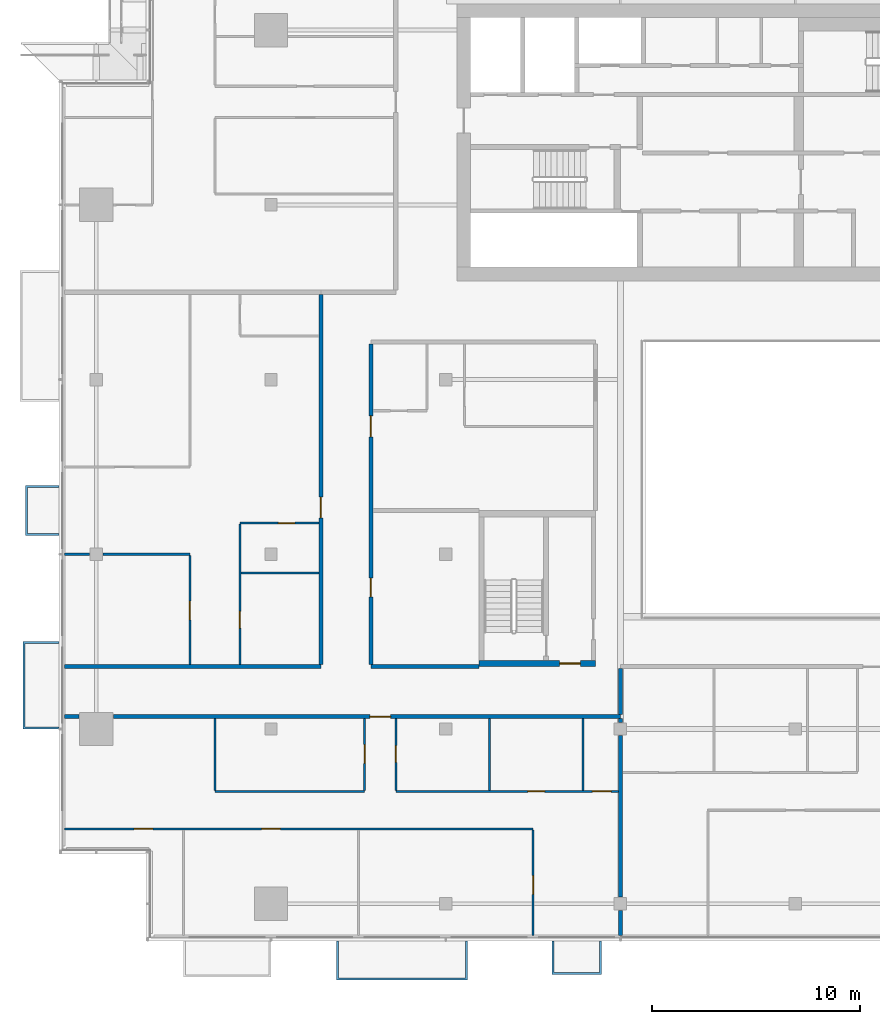
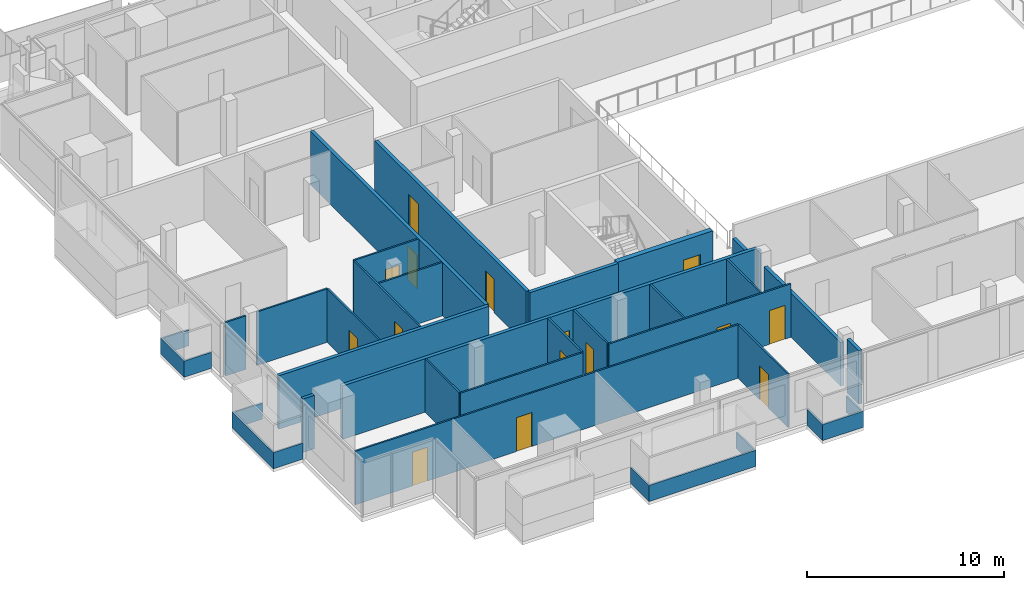
# One storey, part 17 of 30: 30 walls, 15 doors, 15 openings.
"""IFC4 building model written with IfcOpenShell, lengths in metres."""

import ifcopenshell
import ifcopenshell.guid

model = None  # the IFC model being written
_history = None  # IfcOwnerHistory: only IFC2X3 demands one
_inside = {}  # id of a spatial element -> (the spatial element, [elements in it])
_under = {}  # id of a project, library or spatial element -> (it, [spatial elements below it])
_declared = {}  # id of a project -> (the project, [libraries it declares])
_typed = {}  # id of a type object -> (the type object, [elements of that type])
_made_of = {}  # id of a material, layer set ... -> (it, [elements and type objects made of it])


def new_model(schema):
    """Start an empty IFC model of exactly this schema.

    Asked for "IFC4X3", IfcOpenShell would pick the latest addendum, in which some entities
    have other attributes; the version numbers below select the first issue.
    IFC2X3 requires an IfcOwnerHistory on every rooted entity: one is made here for all.
    """
    global model, _history
    if schema == "IFC4X3":
        model = ifcopenshell.file(schema_version=(4, 3, 0, 0))
    else:
        model = ifcopenshell.file(schema=schema)
    _inside.clear()
    _under.clear()
    _declared.clear()
    _typed.clear()
    _made_of.clear()
    _history = None
    if model.schema == "IFC2X3":
        org = make("IfcOrganization", Name="unknown")
        user = make(
            "IfcPersonAndOrganization",
            ThePerson=make("IfcPerson", FamilyName="unknown"),
            TheOrganization=org,
        )
        app = make(
            "IfcApplication",
            ApplicationDeveloper=org,
            Version="unknown",
            ApplicationFullName="unknown",
            ApplicationIdentifier="unknown",
        )
        _history = make(
            "IfcOwnerHistory",
            OwningUser=user,
            OwningApplication=app,
            ChangeAction="ADDED",
            CreationDate=0,
        )
    return model


def make(cls, **values):
    """One entity of the class cls with the attributes given. An attribute that is None is left unset."""
    return model.create_entity(
        cls, **{name: value for name, value in values.items() if value is not None}
    )


def rooted(cls, **values):
    """An entity with a GlobalId (a new one), such as an element, a storey or a relation."""
    return make(cls, GlobalId=ifcopenshell.guid.new(), OwnerHistory=_history, **values)


def si_unit(unit_type, name, prefix=None):
    """IfcSIUnit, for example si_unit("LENGTHUNIT", "METRE", prefix="MILLI")."""
    return make("IfcSIUnit", UnitType=unit_type, Prefix=prefix, Name=name)


def assignment(units):
    """IfcUnitAssignment: the units of a project."""
    return None if units is None else make("IfcUnitAssignment", Units=units)


def point(xyz):
    """IfcCartesianPoint."""
    return None if xyz is None else make("IfcCartesianPoint", Coordinates=xyz)


def direction(xyz):
    """IfcDirection."""
    return None if xyz is None else make("IfcDirection", DirectionRatios=xyz)


def frame(location, z_axis=None, x_axis=None):
    """IfcAxis2Placement3D, a coordinate frame: its origin and axes. An axis left out is left unset."""
    return make(
        "IfcAxis2Placement3D",
        Location=point(location),
        Axis=direction(z_axis),
        RefDirection=direction(x_axis),
    )


def frame_2d(location, x_axis=None):
    """IfcAxis2Placement2D, a coordinate frame in the plane: its origin and x axis."""
    return make(
        "IfcAxis2Placement2D", Location=point(location), RefDirection=direction(x_axis)
    )


def origin():
    """The frame at (0, 0, 0) with its axes left unset."""
    return frame((0.0, 0.0, 0.0))


def place(relative_to, where):
    """IfcLocalPlacement: puts the frame where relative to a parent placement (None: the world)."""
    return make(
        "IfcLocalPlacement", PlacementRelTo=relative_to, RelativePlacement=where
    )


def context(
    kind, dimensions, precision=None, world=None, true_north=None, identifier=None
):
    """IfcGeometricRepresentationContext, for example the 3D "Model" context."""
    return make(
        "IfcGeometricRepresentationContext",
        ContextIdentifier=identifier,
        ContextType=kind,
        CoordinateSpaceDimension=dimensions,
        Precision=precision,
        WorldCoordinateSystem=world,
        TrueNorth=true_north,
    )


def subcontext(parent, identifier, kind, view, scale=None):
    """IfcGeometricRepresentationSubContext, for example "Body" below "Model"."""
    return make(
        "IfcGeometricRepresentationSubContext",
        ContextIdentifier=identifier,
        ContextType=kind,
        ParentContext=parent,
        TargetScale=scale,
        TargetView=view,
    )


def project(units=None, contexts=None):
    """IfcProject with its units and contexts."""
    return rooted(
        "IfcProject",
        Name="project",
        RepresentationContexts=contexts,
        UnitsInContext=assignment(units),
    )


def spatial(cls, under=None, at=None, **own):
    """A site, building, storey or space (cls), placed at a placement, below another one or the project."""
    s = rooted(cls, ObjectPlacement=at, **own)
    if under is not None:
        _under.setdefault(under.id(), (under, []))[1].append(s)
    return s


def polyline(points):
    """IfcPolyline through the points."""
    return make("IfcPolyline", Points=[point(p) for p in points])


def profile(cls, at=None, kind="AREA", **sizes):
    """A parametric profile (cls). Its sizes go by their IFC names, for example OverallWidth=200.0."""
    return make(cls, ProfileType=kind, Position=at, **sizes)


def rectangle(**sizes):
    """IfcRectangleProfileDef."""
    return profile("IfcRectangleProfileDef", **sizes)


def outline(outer, holes=None, kind="AREA"):
    """IfcArbitraryClosedProfileDef: a profile drawn as a closed curve; with holes, ...WithVoids."""
    if holes is None:
        return make("IfcArbitraryClosedProfileDef", ProfileType=kind, OuterCurve=outer)
    return make(
        "IfcArbitraryProfileDefWithVoids",
        ProfileType=kind,
        OuterCurve=outer,
        InnerCurves=holes,
    )


def extrude(swept, where, along, depth):
    """IfcExtrudedAreaSolid: the profile swept, set in the frame where, extruded along a direction by depth."""
    return make(
        "IfcExtrudedAreaSolid",
        SweptArea=swept,
        Position=where,
        ExtrudedDirection=direction(along),
        Depth=depth,
    )


def shape(context_of_items, identifier, shape_type, items):
    """IfcShapeRepresentation: the items that make up one representation, for example the "Body"."""
    return make(
        "IfcShapeRepresentation",
        ContextOfItems=context_of_items,
        RepresentationIdentifier=identifier,
        RepresentationType=shape_type,
        Items=items,
    )


def material(Name=None, Category=None):
    """IfcMaterial."""
    return make("IfcMaterial", Name=Name, Category=Category)


def layer(
    of_material, thickness, ventilated=None, Name=None, Category=None, Priority=None
):
    """IfcMaterialLayer: one layer of a wall or slab, of a material (None: an air gap)."""
    return make(
        "IfcMaterialLayer",
        Material=of_material,
        LayerThickness=thickness,
        IsVentilated=ventilated,
        Name=Name,
        Category=Category,
        Priority=Priority,
    )


def layer_set(layers, Name=None):
    """IfcMaterialLayerSet."""
    return make("IfcMaterialLayerSet", MaterialLayers=layers, LayerSetName=Name)


def made_of(thing, what):
    """Note that an element or type object is made of a material, layer set ...; save() writes the relation."""
    if what is not None:
        _made_of.setdefault(what.id(), (what, []))[1].append(thing)
    return thing


def type_object(cls, material=None, **own):
    """A type object (cls), such as IfcWallType, which elements share."""
    return made_of(rooted(cls, **own), material)


def element(
    cls,
    number,
    at=None,
    inside=None,
    cuts=None,
    type_object=None,
    material=None,
    context=None,
    identifier="Body",
    shape_type=None,
    held_by="IfcProductDefinitionShape",
    body=None,
    shapes=None,
    **own,
):
    """One element of the class cls, such as IfcWall. Its Tag is "e" and its number.

    at: its placement. inside: the storey or other place that contains it. cuts: it is an
    opening in that element (IfcRelVoidsElement). A single representation is given by context,
    identifier, shape_type and body (its items); several are given by shapes. held_by: the class
    of the entity that holds the representations. save() writes the other relations.
    """
    e = rooted(cls, Tag="e%d" % number, ObjectPlacement=at, **own)
    if body is not None:
        shapes = [shape(context, identifier, shape_type, body)]
    if shapes is not None:
        e.Representation = make(held_by, Representations=shapes)
    if inside is not None:
        _inside.setdefault(inside.id(), (inside, []))[1].append(e)
    if cuts is not None:
        rooted(
            "IfcRelVoidsElement", RelatingBuildingElement=cuts, RelatedOpeningElement=e
        )
    if type_object is not None:
        _typed.setdefault(type_object.id(), (type_object, []))[1].append(e)
    return made_of(e, material)


def fill(opening, filler):
    """IfcRelFillsElement: the door or window that sits in an opening."""
    return rooted(
        "IfcRelFillsElement",
        RelatingOpeningElement=opening,
        RelatedBuildingElement=filler,
    )


def aggregate(whole, parts):
    """IfcRelAggregates: a whole, such as a stair, and the parts it consists of."""
    return rooted("IfcRelAggregates", RelatingObject=whole, RelatedObjects=parts)


def save(model, path):
    """Write the relations noted so far, then the file.

    IfcRelAggregates (storeys below a building ...), IfcRelContainedInSpatialStructure (elements
    in a storey), IfcRelDefinesByType, IfcRelAssociatesMaterial and IfcRelDeclares: one each for
    every whole, place, type object, material and project.
    """
    for whole, parts in _under.values():
        aggregate(whole, parts)
    for where, things in _inside.values():
        rooted(
            "IfcRelContainedInSpatialStructure",
            RelatedElements=things,
            RelatingStructure=where,
        )
    for kind, things in _typed.values():
        rooted("IfcRelDefinesByType", RelatedObjects=things, RelatingType=kind)
    for what, things in _made_of.values():
        rooted("IfcRelAssociatesMaterial", RelatedObjects=things, RelatingMaterial=what)
    for by, libraries in _declared.values():
        rooted("IfcRelDeclares", RelatingContext=by, RelatedDefinitions=libraries)
    model.write(path)


model = new_model("IFC4")

# Units and contexts
model_context = context("Model", 3, precision=1e-05, world=origin(), true_north=direction((0.0, 1.0)))
body_context = subcontext(model_context, "Body", "Model", "MODEL_VIEW")
ifc_project = project(units=[si_unit("LENGTHUNIT", "METRE"), si_unit("AREAUNIT", "SQUARE_METRE"), si_unit("VOLUMEUNIT", "CUBIC_METRE"), si_unit("PLANEANGLEUNIT", "RADIAN"), si_unit("MASSUNIT", "GRAM", prefix="KILO")], contexts=[model_context])

# Site, building, storey
site_placement = place(None, origin())
site = spatial("IfcSite", under=ifc_project, at=site_placement, CompositionType="ELEMENT")
building_placement = place(site_placement, origin())
building = spatial("IfcBuilding", under=site, at=building_placement, Name="Saffron Gate Tower", CompositionType="ELEMENT")
storey_placement = place(building_placement, frame((0.0, 0.0, 216.300048828125)))
storey = spatial("IfcBuildingStorey", under=building, at=storey_placement, Name="L52", CompositionType="ELEMENT", Elevation=216.300048828125)

# Wall, opening, door
ifc_material_1 = material(Name="Concrete C60", Category="concrete")
ifc_layer_1 = layer(ifc_material_1, 0.300048828125)
ifc_layer_set_1 = layer_set([ifc_layer_1], Name="CW17 RC core wall 300 C60")
wall_type_1 = type_object("IfcWallType", Name="CW17 RC core wall 300 C60", PredefinedType="SOLIDWALL", material=ifc_layer_set_1)
wall_1_placement = place(storey_placement, frame((68.199951171875, 43.35009765625, 0.0), z_axis=(0.0, 0.0, 1.0), x_axis=(1.0, 0.0, 0.0)))
wall_1 = element("IfcWall", 1, at=wall_1_placement, inside=storey, type_object=wall_type_1, Name="Wall CW17-L52-D-1", PredefinedType="SOLIDWALL", context=body_context, shape_type="SweptSolid", body=[
    extrude(rectangle(XDim=5.60009765625, YDim=0.300048828125, at=frame_2d((2.800048828125, 0.0))), origin(), (0.0, 0.0, 1.0), 3.320068359375),
])
opening_1_placement = place(wall_1_placement, frame((3.875, 0.0, 0.0)))
opening_1 = element("IfcOpeningElement", 2, at=opening_1_placement, cuts=wall_1, Name="Opening CR-18", PredefinedType="OPENING", context=body_context, shape_type="SweptSolid", body=[
    extrude(rectangle(XDim=1.0, YDim=2.10009765625, at=frame_2d((0.5, 1.050048828125))), frame((0.0, 0.16015625, 0.0), z_axis=(0.0, -1.0, 0.0), x_axis=(1.0, 0.0, 0.0)), (0.0, 0.0, 1.0), 0.320068359375),
])
ifc_material_2 = material(Name="Steel fire door set", Category="steel")
door_type_1 = type_object("IfcDoorType", Name="CD4 Lobby door 1000x2100 EI 120", OperationType="NOTDEFINED", PredefinedType="DOOR", material=ifc_material_2)
door_1_placement = place(opening_1_placement, origin())
door_1 = element("IfcDoor", 3, at=door_1_placement, inside=storey, type_object=door_type_1, Name="DOOR CR-18", OperationType="SINGLE_SWING_RIGHT", OverallHeight=2.10009765625, OverallWidth=1.0, PredefinedType="DOOR", context=body_context, shape_type="SweptSolid", body=[
    extrude(rectangle(XDim=1.0, YDim=2.10009765625, at=frame_2d((0.5, 1.050048828125))), frame((0.0, 0.02490234375, 0.0), z_axis=(0.0, -1.0, 0.0), x_axis=(1.0, 0.0, 0.0)), (0.0, 0.0, 1.0), 0.050048828125),
])
fill(opening_1, door_1)

# Wall, openings, doors
ifc_material_3 = material(Name="Plasterboard on steel studs", Category="steel")
ifc_layer_2 = layer(ifc_material_3, 0.10009765625)
ifc_layer_set_2 = layer_set([ifc_layer_2], Name="PW1 Partition 100")
wall_type_2 = type_object("IfcWallType", Name="PW1 Partition 100", PredefinedType="PARTITIONING", material=ifc_layer_set_2)
wall_2_placement = place(storey_placement, frame((70.800048828125, 35.39990234375, 0.0), z_axis=(0.0, 0.0, 1.0), x_axis=(-1.0, 0.0, 0.0)))
wall_2 = element("IfcWall", 4, at=wall_2_placement, inside=storey, type_object=wall_type_2, Name="Partition D2-3", PredefinedType="PARTITIONING", context=body_context, shape_type="SweptSolid", body=[
    extrude(rectangle(XDim=22.52001953125, YDim=0.10009765625, at=frame_2d((11.260009765625, 0.0))), origin(), (0.0, 0.0, 1.0), 3.320068359375),
])
opening_2_placement = place(wall_2_placement, frame((12.14990234375, 0.0, 0.0)))
opening_2 = element("IfcOpeningElement", 5, at=opening_2_placement, cuts=wall_2, Name="Opening D2-11", PredefinedType="OPENING", context=body_context, shape_type="SweptSolid", body=[
    extrude(rectangle(XDim=0.89990234375, YDim=2.10009765625, at=frame_2d((0.449951171875, 1.050048828125))), frame((0.0, 0.06005859375, 0.0), z_axis=(0.0, -1.0, 0.0), x_axis=(1.0, 0.0, 0.0)), (0.0, 0.0, 1.0), 0.1201171875),
])
opening_3_placement = place(wall_2_placement, frame((18.2744140625, 0.0, 0.0)))
opening_3 = element("IfcOpeningElement", 6, at=opening_3_placement, cuts=wall_2, Name="Opening D2-10", PredefinedType="OPENING", context=body_context, shape_type="SweptSolid", body=[
    extrude(rectangle(XDim=0.89990234375, YDim=2.10009765625, at=frame_2d((0.449951171875, 1.050048828125))), frame((0.0, 0.06005859375, 0.0), z_axis=(0.0, -1.0, 0.0), x_axis=(1.0, 0.0, 0.0)), (0.0, 0.0, 1.0), 0.1201171875),
])
ifc_material_4 = material(Name="Timber door set", Category="wood")
door_type_2 = type_object("IfcDoorType", Name="RD1 Room door 900x2100", OperationType="NOTDEFINED", PredefinedType="DOOR", material=ifc_material_4)
door_2_placement = place(opening_2_placement, origin())
door_2 = element("IfcDoor", 7, at=door_2_placement, inside=storey, type_object=door_type_2, Name="Door D2-11", OperationType="SINGLE_SWING_RIGHT", OverallHeight=2.10009765625, OverallWidth=0.89990234375, PredefinedType="DOOR", context=body_context, shape_type="SweptSolid", body=[
    extrude(rectangle(XDim=0.89990234375, YDim=2.10009765625, at=frame_2d((0.449951171875, 1.050048828125))), frame((0.0, 0.02490234375, 0.0), z_axis=(0.0, -1.0, 0.0), x_axis=(1.0, 0.0, 0.0)), (0.0, 0.0, 1.0), 0.050048828125),
])
fill(opening_2, door_2)
door_3_placement = place(opening_3_placement, origin())
door_3 = element("IfcDoor", 8, at=door_3_placement, inside=storey, type_object=door_type_2, Name="Door D2-10", OperationType="SINGLE_SWING_LEFT", OverallHeight=2.10009765625, OverallWidth=0.89990234375, PredefinedType="DOOR", context=body_context, shape_type="SweptSolid", body=[
    extrude(rectangle(XDim=0.89990234375, YDim=2.10009765625, at=frame_2d((0.449951171875, 1.050048828125))), frame((0.0, 0.02490234375, 0.0), z_axis=(0.0, -1.0, 0.0), x_axis=(1.0, 0.0, 0.0)), (0.0, 0.0, 1.0), 0.050048828125),
])
fill(opening_3, door_3)

# Wall
wall_3_placement = place(storey_placement, frame((55.5, 37.199951171875, 0.0), z_axis=(0.0, 0.0, 1.0), x_axis=(1.0, 0.0, 0.0)))
element("IfcWall", 9, at=wall_3_placement, inside=storey, type_object=wall_type_2, Name="Partition D2-5", PredefinedType="PARTITIONING", context=body_context, shape_type="SweptSolid", body=[
    extrude(rectangle(XDim=7.199951171875, YDim=0.10009765625, at=frame_2d((3.60009765625, 0.0))), origin(), (0.0, 0.0, 1.0), 3.320068359375),
])

# Wall, openings, doors
wall_4_placement = place(storey_placement, frame((64.199951171875, 37.199951171875, 0.0), z_axis=(0.0, 0.0, 1.0), x_axis=(1.0, 0.0, 0.0)))
wall_4 = element("IfcWall", 10, at=wall_4_placement, inside=storey, type_object=wall_type_2, Name="Partition D2-6", PredefinedType="PARTITIONING", context=body_context, shape_type="SweptSolid", body=[
    extrude(rectangle(XDim=10.699951171875, YDim=0.10009765625, at=frame_2d((5.35009765625, 0.0))), origin(), (0.0, 0.0, 1.0), 3.320068359375),
])
opening_4_placement = place(wall_4_placement, frame((6.35009765625, 0.0, 0.0)))
opening_4 = element("IfcOpeningElement", 11, at=opening_4_placement, cuts=wall_4, Name="Opening D2-40", PredefinedType="OPENING", context=body_context, shape_type="SweptSolid", body=[
    extrude(rectangle(XDim=0.800048828125, YDim=2.10009765625, at=frame_2d((0.39990234375, 1.050048828125))), frame((0.0, 0.06005859375, 0.0), z_axis=(0.0, -1.0, 0.0), x_axis=(1.0, 0.0, 0.0)), (0.0, 0.0, 1.0), 0.1201171875),
])
opening_5_placement = place(wall_4_placement, frame((9.449951171875, 0.0, 0.0)))
opening_5 = element("IfcOpeningElement", 12, at=opening_5_placement, cuts=wall_4, Name="Opening D2-14", PredefinedType="OPENING", context=body_context, shape_type="SweptSolid", body=[
    extrude(rectangle(XDim=0.89990234375, YDim=2.10009765625, at=frame_2d((0.449951171875, 1.050048828125))), frame((0.0, 0.06005859375, 0.0), z_axis=(0.0, -1.0, 0.0), x_axis=(1.0, 0.0, 0.0)), (0.0, 0.0, 1.0), 0.1201171875),
])
door_4_placement = place(opening_5_placement, origin())
door_4 = element("IfcDoor", 13, at=door_4_placement, inside=storey, type_object=door_type_2, Name="Door D2-14", OperationType="SINGLE_SWING_RIGHT", OverallHeight=2.10009765625, OverallWidth=0.89990234375, PredefinedType="DOOR", context=body_context, shape_type="SweptSolid", body=[
    extrude(rectangle(XDim=0.89990234375, YDim=2.10009765625, at=frame_2d((0.449951171875, 1.050048828125))), frame((0.0, 0.02490234375, 0.0), z_axis=(0.0, -1.0, 0.0), x_axis=(1.0, 0.0, 0.0)), (0.0, 0.0, 1.0), 0.050048828125),
])
fill(opening_5, door_4)
door_type_3 = type_object("IfcDoorType", Name="RD2 Bathroom door 800x2100", OperationType="NOTDEFINED", PredefinedType="DOOR", material=ifc_material_4)
door_5_placement = place(opening_4_placement, origin())
door_5 = element("IfcDoor", 14, at=door_5_placement, inside=storey, type_object=door_type_3, Name="Door D2-40", OperationType="SINGLE_SWING_LEFT", OverallHeight=2.10009765625, OverallWidth=0.800048828125, PredefinedType="DOOR", context=body_context, shape_type="SweptSolid", body=[
    extrude(rectangle(XDim=0.800048828125, YDim=2.10009765625, at=frame_2d((0.39990234375, 1.050048828125))), frame((0.0, 0.02490234375, 0.0), z_axis=(0.0, -1.0, 0.0), x_axis=(1.0, 0.0, 0.0)), (0.0, 0.0, 1.0), 0.050048828125),
])
fill(opening_4, door_5)

# Walls
wall_5_placement = place(storey_placement, frame((56.75, 47.699951171875, 0.0), z_axis=(0.0, 0.0, 1.0), x_axis=(1.0, 0.0, 0.0)))
element("IfcWall", 15, at=wall_5_placement, inside=storey, type_object=wall_type_2, Name="Partition D2-18", PredefinedType="PARTITIONING", context=body_context, shape_type="SweptSolid", body=[
    extrude(rectangle(XDim=3.75, YDim=0.10009765625, at=frame_2d((1.875, 0.0))), origin(), (0.0, 0.0, 1.0), 3.320068359375),
])
wall_6_placement = place(storey_placement, frame((48.280029296875, 48.60009765625, 0.0), z_axis=(0.0, 0.0, 1.0), x_axis=(1.0, 0.0, 0.0)))
element("IfcWall", 16, at=wall_6_placement, inside=storey, type_object=wall_type_2, Name="Partition D2-19", PredefinedType="PARTITIONING", context=body_context, shape_type="SweptSolid", body=[
    extrude(rectangle(XDim=1.199951171875, YDim=0.10009765625, at=frame_2d((0.60009765625, 0.0))), origin(), (0.0, 0.0, 1.0), 3.320068359375),
])
wall_7_placement = place(storey_placement, frame((50.1201171875, 48.60009765625, 0.0), z_axis=(0.0, 0.0, 1.0), x_axis=(1.0, 0.0, 0.0)))
element("IfcWall", 17, at=wall_7_placement, inside=storey, type_object=wall_type_2, Name="Partition D2-20", PredefinedType="PARTITIONING", context=body_context, shape_type="SweptSolid", body=[
    extrude(rectangle(XDim=4.179931640625, YDim=0.10009765625, at=frame_2d((2.08984375, 0.0))), origin(), (0.0, 0.0, 1.0), 3.320068359375),
])

# Wall, opening, door
wall_8_placement = place(storey_placement, frame((60.5, 50.10009765625, 0.0), z_axis=(0.0, 0.0, 1.0), x_axis=(-1.0, 0.0, 0.0)))
wall_8 = element("IfcWall", 18, at=wall_8_placement, inside=storey, type_object=wall_type_2, Name="Partition D2-23", PredefinedType="PARTITIONING", context=body_context, shape_type="SweptSolid", body=[
    extrude(rectangle(XDim=3.800048828125, YDim=0.10009765625, at=frame_2d((1.89990234375, 0.0))), origin(), (0.0, 0.0, 1.0), 3.320068359375),
])
opening_6_placement = place(wall_8_placement, frame((1.14990234375, 0.0, 0.0)))
opening_6 = element("IfcOpeningElement", 19, at=opening_6_placement, cuts=wall_8, Name="Opening D2-46", PredefinedType="OPENING", context=body_context, shape_type="SweptSolid", body=[
    extrude(rectangle(XDim=0.800048828125, YDim=2.10009765625, at=frame_2d((0.39990234375, 1.050048828125))), frame((0.0, 0.06005859375, 0.0), z_axis=(0.0, -1.0, 0.0), x_axis=(1.0, 0.0, 0.0)), (0.0, 0.0, 1.0), 0.1201171875),
])
door_6_placement = place(opening_6_placement, origin())
door_6 = element("IfcDoor", 20, at=door_6_placement, inside=storey, type_object=door_type_3, Name="Door D2-46", OperationType="SINGLE_SWING_LEFT", OverallHeight=2.10009765625, OverallWidth=0.800048828125, PredefinedType="DOOR", context=body_context, shape_type="SweptSolid", body=[
    extrude(rectangle(XDim=0.800048828125, YDim=2.10009765625, at=frame_2d((0.39990234375, 1.050048828125))), frame((0.0, 0.02490234375, 0.0), z_axis=(0.0, -1.0, 0.0), x_axis=(1.0, 0.0, 0.0)), (0.0, 0.0, 1.0), 0.050048828125),
])
fill(opening_6, door_6)

wall_9_placement = place(storey_placement, frame((54.300048828125, 43.300048828125, 0.0), z_axis=(0.0, 0.0, 1.0), x_axis=(0.0, 1.0, 0.0)))
wall_9 = element("IfcWall", 21, at=wall_9_placement, inside=storey, type_object=wall_type_2, Name="Partition D2-60", PredefinedType="PARTITIONING", context=body_context, shape_type="SweptSolid", body=[
    extrude(rectangle(XDim=5.25, YDim=0.10009765625, at=frame_2d((2.625, 0.0))), origin(), (0.0, 0.0, 1.0), 3.320068359375),
])
opening_7_placement = place(wall_9_placement, frame((2.14990234375, 0.0, 0.0)))
opening_7 = element("IfcOpeningElement", 22, at=opening_7_placement, cuts=wall_9, Name="Opening D2-25", PredefinedType="OPENING", context=body_context, shape_type="SweptSolid", body=[
    extrude(rectangle(XDim=0.89990234375, YDim=2.10009765625, at=frame_2d((0.449951171875, 1.050048828125))), frame((0.0, 0.06005859375, 0.0), z_axis=(0.0, -1.0, 0.0), x_axis=(1.0, 0.0, 0.0)), (0.0, 0.0, 1.0), 0.1201171875),
])
door_7_placement = place(opening_7_placement, origin())
door_7 = element("IfcDoor", 23, at=door_7_placement, inside=storey, type_object=door_type_2, Name="Door D2-25", OperationType="SINGLE_SWING_LEFT", OverallHeight=2.10009765625, OverallWidth=0.89990234375, PredefinedType="DOOR", context=body_context, shape_type="SweptSolid", body=[
    extrude(rectangle(XDim=0.89990234375, YDim=2.10009765625, at=frame_2d((0.449951171875, 1.050048828125))), frame((0.0, 0.02490234375, 0.0), z_axis=(0.0, -1.0, 0.0), x_axis=(1.0, 0.0, 0.0)), (0.0, 0.0, 1.0), 0.050048828125),
])
fill(opening_7, door_7)

# Wall
wall_10_placement = place(storey_placement, frame((55.5, 40.699951171875, 0.0), z_axis=(0.0, 0.0, 1.0), x_axis=(0.0, -1.0, 0.0)))
element("IfcWall", 24, at=wall_10_placement, inside=storey, type_object=wall_type_2, Name="Partition D2-62", PredefinedType="PARTITIONING", context=body_context, shape_type="SweptSolid", body=[
    extrude(rectangle(XDim=3.449951171875, YDim=0.10009765625, at=frame_2d((1.72509765625, 0.0))), origin(), (0.0, 0.0, 1.0), 3.320068359375),
])

# Wall, opening, door
wall_11_placement = place(storey_placement, frame((56.699951171875, 50.050048828125, 0.0), z_axis=(0.0, 0.0, 1.0), x_axis=(0.0, -1.0, 0.0)))
wall_11 = element("IfcWall", 25, at=wall_11_placement, inside=storey, type_object=wall_type_2, Name="Partition D2-65", PredefinedType="PARTITIONING", context=body_context, shape_type="SweptSolid", body=[
    extrude(rectangle(XDim=6.75, YDim=0.10009765625, at=frame_2d((3.375, 0.0))), origin(), (0.0, 0.0, 1.0), 3.320068359375),
])
opening_8_placement = place(wall_11_placement, frame((4.199951171875, 0.0, 0.0)))
opening_8 = element("IfcOpeningElement", 26, at=opening_8_placement, cuts=wall_11, Name="Opening D2-45", PredefinedType="OPENING", context=body_context, shape_type="SweptSolid", body=[
    extrude(rectangle(XDim=0.800048828125, YDim=2.10009765625, at=frame_2d((0.39990234375, 1.050048828125))), frame((0.0, 0.06005859375, 0.0), z_axis=(0.0, -1.0, 0.0), x_axis=(1.0, 0.0, 0.0)), (0.0, 0.0, 1.0), 0.1201171875),
])
door_8_placement = place(opening_8_placement, origin())
door_8 = element("IfcDoor", 27, at=door_8_placement, inside=storey, type_object=door_type_3, Name="Door D2-45", OperationType="SINGLE_SWING_RIGHT", OverallHeight=2.10009765625, OverallWidth=0.800048828125, PredefinedType="DOOR", context=body_context, shape_type="SweptSolid", body=[
    extrude(rectangle(XDim=0.800048828125, YDim=2.10009765625, at=frame_2d((0.39990234375, 1.050048828125))), frame((0.0, 0.02490234375, 0.0), z_axis=(0.0, -1.0, 0.0), x_axis=(1.0, 0.0, 0.0)), (0.0, 0.0, 1.0), 0.050048828125),
])
fill(opening_8, door_8)

wall_12_placement = place(storey_placement, frame((62.699951171875, 37.25, 0.0), z_axis=(0.0, 0.0, 1.0), x_axis=(0.0, 1.0, 0.0)))
wall_12 = element("IfcWall", 28, at=wall_12_placement, inside=storey, type_object=wall_type_2, Name="Partition D2-69", PredefinedType="PARTITIONING", context=body_context, shape_type="SweptSolid", body=[
    extrude(rectangle(XDim=3.449951171875, YDim=0.10009765625, at=frame_2d((1.72509765625, 0.0))), origin(), (0.0, 0.0, 1.0), 3.320068359375),
])
opening_9_placement = place(wall_12_placement, frame((1.300048828125, 0.0, 0.0)))
opening_9 = element("IfcOpeningElement", 29, at=opening_9_placement, cuts=wall_12, Name="Opening D2-13", PredefinedType="OPENING", context=body_context, shape_type="SweptSolid", body=[
    extrude(rectangle(XDim=0.89990234375, YDim=2.10009765625, at=frame_2d((0.449951171875, 1.050048828125))), frame((0.0, 0.06005859375, 0.0), z_axis=(0.0, -1.0, 0.0), x_axis=(1.0, 0.0, 0.0)), (0.0, 0.0, 1.0), 0.1201171875),
])
door_9_placement = place(opening_9_placement, origin())
door_9 = element("IfcDoor", 30, at=door_9_placement, inside=storey, type_object=door_type_2, Name="Door D2-13", OperationType="SINGLE_SWING_RIGHT", OverallHeight=2.10009765625, OverallWidth=0.89990234375, PredefinedType="DOOR", context=body_context, shape_type="SweptSolid", body=[
    extrude(rectangle(XDim=0.89990234375, YDim=2.10009765625, at=frame_2d((0.449951171875, 1.050048828125))), frame((0.0, 0.02490234375, 0.0), z_axis=(0.0, -1.0, 0.0), x_axis=(1.0, 0.0, 0.0)), (0.0, 0.0, 1.0), 0.050048828125),
])
fill(opening_9, door_9)

wall_13_placement = place(storey_placement, frame((64.199951171875, 40.699951171875, 0.0), z_axis=(0.0, 0.0, 1.0), x_axis=(0.0, -1.0, 0.0)))
wall_13 = element("IfcWall", 31, at=wall_13_placement, inside=storey, type_object=wall_type_2, Name="Partition D2-72", PredefinedType="PARTITIONING", context=body_context, shape_type="SweptSolid", body=[
    extrude(rectangle(XDim=3.449951171875, YDim=0.10009765625, at=frame_2d((1.72509765625, 0.0))), origin(), (0.0, 0.0, 1.0), 3.320068359375),
])
opening_10_placement = place(wall_13_placement, frame((1.300048828125, 0.0, 0.0)))
opening_10 = element("IfcOpeningElement", 32, at=opening_10_placement, cuts=wall_13, Name="Opening D2-39", PredefinedType="OPENING", context=body_context, shape_type="SweptSolid", body=[
    extrude(rectangle(XDim=0.800048828125, YDim=2.10009765625, at=frame_2d((0.39990234375, 1.050048828125))), frame((0.0, 0.06005859375, 0.0), z_axis=(0.0, -1.0, 0.0), x_axis=(1.0, 0.0, 0.0)), (0.0, 0.0, 1.0), 0.1201171875),
])
door_10_placement = place(opening_10_placement, origin())
door_10 = element("IfcDoor", 33, at=door_10_placement, inside=storey, type_object=door_type_3, Name="Door D2-39", OperationType="SINGLE_SWING_LEFT", OverallHeight=2.10009765625, OverallWidth=0.800048828125, PredefinedType="DOOR", context=body_context, shape_type="SweptSolid", body=[
    extrude(rectangle(XDim=0.800048828125, YDim=2.10009765625, at=frame_2d((0.39990234375, 1.050048828125))), frame((0.0, 0.02490234375, 0.0), z_axis=(0.0, -1.0, 0.0), x_axis=(1.0, 0.0, 0.0)), (0.0, 0.0, 1.0), 0.050048828125),
])
fill(opening_10, door_10)

# Wall
wall_14_placement = place(storey_placement, frame((68.699951171875, 40.699951171875, 0.0), z_axis=(0.0, 0.0, 1.0), x_axis=(0.0, -1.0, 0.0)))
element("IfcWall", 34, at=wall_14_placement, inside=storey, type_object=wall_type_2, Name="Partition D2-75", PredefinedType="PARTITIONING", context=body_context, shape_type="SweptSolid", body=[
    extrude(rectangle(XDim=3.449951171875, YDim=0.10009765625, at=frame_2d((1.72509765625, 0.0))), origin(), (0.0, 0.0, 1.0), 3.320068359375),
])

# Wall, opening, door
wall_15_placement = place(storey_placement, frame((70.800048828125, 30.280029296875, 0.0), z_axis=(0.0, 0.0, 1.0), x_axis=(0.0, 1.0, 0.0)))
wall_15 = element("IfcWall", 35, at=wall_15_placement, inside=storey, type_object=wall_type_2, Name="Partition D2-76", PredefinedType="PARTITIONING", context=body_context, shape_type="SweptSolid", body=[
    extrude(rectangle(XDim=5.070068359375, YDim=0.10009765625, at=frame_2d((2.53515625, 0.0))), origin(), (0.0, 0.0, 1.0), 3.320068359375),
])
opening_11_placement = place(wall_15_placement, frame((1.969970703125, 0.0, 0.0)))
opening_11 = element("IfcOpeningElement", 36, at=opening_11_placement, cuts=wall_15, Name="Opening D2-12", PredefinedType="OPENING", context=body_context, shape_type="SweptSolid", body=[
    extrude(rectangle(XDim=0.89990234375, YDim=2.10009765625, at=frame_2d((0.449951171875, 1.050048828125))), frame((0.0, 0.06005859375, 0.0), z_axis=(0.0, -1.0, 0.0), x_axis=(1.0, 0.0, 0.0)), (0.0, 0.0, 1.0), 0.1201171875),
])
door_11_placement = place(opening_11_placement, origin())
door_11 = element("IfcDoor", 37, at=door_11_placement, inside=storey, type_object=door_type_2, Name="Door D2-12", OperationType="SINGLE_SWING_LEFT", OverallHeight=2.10009765625, OverallWidth=0.89990234375, PredefinedType="DOOR", context=body_context, shape_type="SweptSolid", body=[
    extrude(rectangle(XDim=0.89990234375, YDim=2.10009765625, at=frame_2d((0.449951171875, 1.050048828125))), frame((0.0, 0.02490234375, 0.0), z_axis=(0.0, -1.0, 0.0), x_axis=(1.0, 0.0, 0.0)), (0.0, 0.0, 1.0), 0.050048828125),
])
fill(opening_11, door_11)

# Walls
wall_16_placement = place(storey_placement, frame((73.199951171875, 40.699951171875, 0.0), z_axis=(0.0, 0.0, 1.0), x_axis=(0.0, -1.0, 0.0)))
element("IfcWall", 38, at=wall_16_placement, inside=storey, type_object=wall_type_2, Name="Partition D2-77", PredefinedType="PARTITIONING", context=body_context, shape_type="SweptSolid", body=[
    extrude(rectangle(XDim=3.449951171875, YDim=0.10009765625, at=frame_2d((1.72509765625, 0.0))), origin(), (0.0, 0.0, 1.0), 3.320068359375),
])
ifc_material_5 = material(Name="Clay brick masonry, rendered", Category="masonry")
ifc_layer_3 = layer(ifc_material_5, 0.199951171875)
ifc_layer_set_3 = layer_set([ifc_layer_3], Name="PW2 Demising wall 200")
wall_type_3 = type_object("IfcWallType", Name="PW2 Demising wall 200", PredefinedType="PARTITIONING", material=ifc_layer_set_3)
wall_17_placement = place(storey_placement, frame((75.0, 31.47998046875, 0.0), z_axis=(0.0, 0.0, 1.0), x_axis=(0.0, -1.0, 0.0)))
element("IfcWall", 39, at=wall_17_placement, inside=storey, type_object=wall_type_3, Name="Wall D2-80", PredefinedType="PARTITIONING", context=body_context, shape_type="SweptSolid", body=[
    extrude(rectangle(XDim=1.199951171875, YDim=0.199951171875, at=frame_2d((0.60009765625, 0.0))), origin(), (0.0, 0.0, 1.0), 3.320068359375),
])
wall_18_placement = place(storey_placement, frame((75.0, 39.8798828125, 0.0), z_axis=(0.0, 0.0, 1.0), x_axis=(0.0, -1.0, 0.0)))
element("IfcWall", 40, at=wall_18_placement, inside=storey, type_object=wall_type_3, Name="Wall D2-81", PredefinedType="PARTITIONING", context=body_context, shape_type="SweptSolid", body=[
    extrude(rectangle(XDim=7.759765625, YDim=0.199951171875, at=frame_2d((3.8798828125, 0.0))), origin(), (0.0, 0.0, 1.0), 2.719970703125),
])
wall_19_placement = place(storey_placement, frame((75.0, 40.699951171875, 0.0), z_axis=(0.0, 0.0, 1.0), x_axis=(0.0, -1.0, 0.0)))
element("IfcWall", 41, at=wall_19_placement, inside=storey, type_object=wall_type_3, Name="Wall D2-82", PredefinedType="PARTITIONING", context=body_context, shape_type="SweptSolid", body=[
    extrude(rectangle(XDim=0.179931640625, YDim=0.199951171875, at=frame_2d((0.08984375, 0.0))), origin(), (0.0, 0.0, 1.0), 3.320068359375),
])
ifc_layer_4 = layer(ifc_material_5, 0.199951171875)
ifc_layer_set_4 = layer_set([ifc_layer_4], Name="PW3 Corridor wall 200")
wall_type_4 = type_object("IfcWallType", Name="PW3 Corridor wall 200", PredefinedType="PARTITIONING", material=ifc_layer_set_4)
wall_20_placement = place(storey_placement, frame((48.280029296875, 40.800048828125, 0.0), z_axis=(0.0, 0.0, 1.0), x_axis=(1.0, 0.0, 0.0)))
element("IfcWall", 42, at=wall_20_placement, inside=storey, type_object=wall_type_4, Name="Wall D2-9", PredefinedType="PARTITIONING", context=body_context, shape_type="SweptSolid", body=[
    extrude(rectangle(XDim=0.699951171875, YDim=0.199951171875, at=frame_2d((0.35009765625, 0.0))), origin(), (0.0, 0.0, 1.0), 3.320068359375),
])

# Wall, opening, door
wall_21_placement = place(storey_placement, frame((75.0, 40.800048828125, 0.0), z_axis=(0.0, 0.0, 1.0), x_axis=(-1.0, 0.0, 0.0)))
wall_21 = element("IfcWall", 43, at=wall_21_placement, inside=storey, type_object=wall_type_4, Name="Wall D2-10", PredefinedType="PARTITIONING", context=body_context, shape_type="SweptSolid", body=[
    extrude(rectangle(XDim=24.3798828125, YDim=0.199951171875, at=frame_2d((12.18994140625, 0.0))), origin(), (0.0, 0.0, 1.0), 3.320068359375),
])
opening_12_placement = place(wall_21_placement, frame((11.050048828125, 0.0, 0.0)))
opening_12 = element("IfcOpeningElement", 44, at=opening_12_placement, cuts=wall_21, Name="Opening D2-1", PredefinedType="OPENING", context=body_context, shape_type="SweptSolid", body=[
    extrude(rectangle(XDim=1.0, YDim=2.10009765625, at=frame_2d((0.5, 1.050048828125))), frame((0.0, 0.10986328125, 0.0), z_axis=(0.0, -1.0, 0.0), x_axis=(1.0, 0.0, 0.0)), (0.0, 0.0, 1.0), 0.219970703125),
])
ifc_material_6 = material(Name="Timber fire door set", Category="wood")
door_type_4 = type_object("IfcDoorType", Name="FD1 Flat entry door 1000x2100", OperationType="NOTDEFINED", PredefinedType="DOOR", material=ifc_material_6)
door_12_placement = place(opening_12_placement, origin())
door_12 = element("IfcDoor", 45, at=door_12_placement, inside=storey, type_object=door_type_4, Name="Door D2-1", OperationType="SINGLE_SWING_LEFT", OverallHeight=2.10009765625, OverallWidth=1.0, PredefinedType="DOOR", context=body_context, shape_type="SweptSolid", body=[
    extrude(rectangle(XDim=1.0, YDim=2.10009765625, at=frame_2d((0.5, 1.050048828125))), frame((0.0, 0.02490234375, 0.0), z_axis=(0.0, -1.0, 0.0), x_axis=(1.0, 0.0, 0.0)), (0.0, 0.0, 1.0), 0.050048828125),
])
fill(opening_12, door_12)

# Walls
wall_22_placement = place(storey_placement, frame((48.280029296875, 43.199951171875, 0.0), z_axis=(0.0, 0.0, 1.0), x_axis=(1.0, 0.0, 0.0)))
element("IfcWall", 46, at=wall_22_placement, inside=storey, type_object=wall_type_4, Name="Wall D2-13", PredefinedType="PARTITIONING", context=body_context, shape_type="SweptSolid", body=[
    extrude(rectangle(XDim=12.320068359375, YDim=0.199951171875, at=frame_2d((6.16015625, 0.0))), origin(), (0.0, 0.0, 1.0), 3.320068359375),
])
wall_23_placement = place(storey_placement, frame((63.0, 43.199951171875, 0.0), z_axis=(0.0, 0.0, 1.0), x_axis=(1.0, 0.0, 0.0)))
element("IfcWall", 47, at=wall_23_placement, inside=storey, type_object=wall_type_4, Name="Wall D2-14", PredefinedType="PARTITIONING", context=body_context, shape_type="SweptSolid", body=[
    extrude(rectangle(XDim=5.199951171875, YDim=0.199951171875, at=frame_2d((2.60009765625, 0.0))), origin(), (0.0, 0.0, 1.0), 3.320068359375),
])

# Wall, opening, door
wall_24_placement = place(storey_placement, frame((60.60009765625, 43.300048828125, 0.0), z_axis=(0.0, 0.0, 1.0), x_axis=(0.0, 1.0, 0.0)))
wall_24 = element("IfcWall", 48, at=wall_24_placement, inside=storey, type_object=wall_type_4, Name="Wall D2-67", PredefinedType="PARTITIONING", context=body_context, shape_type="SweptSolid", body=[
    extrude(rectangle(XDim=17.800048828125, YDim=0.199951171875, at=frame_2d((8.89990234375, 0.0))), origin(), (0.0, 0.0, 1.0), 3.320068359375),
])
opening_13_placement = place(wall_24_placement, frame((7.050048828125, 0.0, 0.0)))
opening_13 = element("IfcOpeningElement", 49, at=opening_13_placement, cuts=wall_24, Name="Opening D2-4", PredefinedType="OPENING", context=body_context, shape_type="SweptSolid", body=[
    extrude(rectangle(XDim=1.0, YDim=2.10009765625, at=frame_2d((0.5, 1.050048828125))), frame((0.0, 0.10986328125, 0.0), z_axis=(0.0, -1.0, 0.0), x_axis=(1.0, 0.0, 0.0)), (0.0, 0.0, 1.0), 0.219970703125),
])
door_13_placement = place(opening_13_placement, origin())
door_13 = element("IfcDoor", 50, at=door_13_placement, inside=storey, type_object=door_type_4, Name="Door D2-4", OperationType="SINGLE_SWING_RIGHT", OverallHeight=2.10009765625, OverallWidth=1.0, PredefinedType="DOOR", context=body_context, shape_type="SweptSolid", body=[
    extrude(rectangle(XDim=1.0, YDim=2.10009765625, at=frame_2d((0.5, 1.050048828125))), frame((0.0, 0.02490234375, 0.0), z_axis=(0.0, -1.0, 0.0), x_axis=(1.0, 0.0, 0.0)), (0.0, 0.0, 1.0), 0.050048828125),
])
fill(opening_13, door_13)

# Wall, openings, doors
wall_25_placement = place(storey_placement, frame((63.0, 58.699951171875, 0.0), z_axis=(0.0, 0.0, 1.0), x_axis=(0.0, -1.0, 0.0)))
wall_25 = element("IfcWall", 51, at=wall_25_placement, inside=storey, type_object=wall_type_4, Name="Wall D2-70", PredefinedType="PARTITIONING", context=body_context, shape_type="SweptSolid", body=[
    extrude(rectangle(XDim=15.39990234375, YDim=0.199951171875, at=frame_2d((7.699951171875, 0.0))), origin(), (0.0, 0.0, 1.0), 3.320068359375),
])
opening_14_placement = place(wall_25_placement, frame((3.449951171875, 0.0, 0.0)))
opening_14 = element("IfcOpeningElement", 52, at=opening_14_placement, cuts=wall_25, Name="Opening D2-8", PredefinedType="OPENING", context=body_context, shape_type="SweptSolid", body=[
    extrude(rectangle(XDim=1.0, YDim=2.10009765625, at=frame_2d((0.5, 1.050048828125))), frame((0.0, 0.10986328125, 0.0), z_axis=(0.0, -1.0, 0.0), x_axis=(1.0, 0.0, 0.0)), (0.0, 0.0, 1.0), 0.219970703125),
])
opening_15_placement = place(wall_25_placement, frame((11.25, 0.0, 0.0)))
opening_15 = element("IfcOpeningElement", 53, at=opening_15_placement, cuts=wall_25, Name="Opening D2-55", PredefinedType="OPENING", context=body_context, shape_type="SweptSolid", body=[
    extrude(rectangle(XDim=0.89990234375, YDim=2.10009765625, at=frame_2d((0.449951171875, 1.050048828125))), frame((0.0, 0.10986328125, 0.0), z_axis=(0.0, -1.0, 0.0), x_axis=(1.0, 0.0, 0.0)), (0.0, 0.0, 1.0), 0.219970703125),
])
door_14_placement = place(opening_14_placement, origin())
door_14 = element("IfcDoor", 54, at=door_14_placement, inside=storey, type_object=door_type_4, Name="Door D2-8", OperationType="SINGLE_SWING_LEFT", OverallHeight=2.10009765625, OverallWidth=1.0, PredefinedType="DOOR", context=body_context, shape_type="SweptSolid", body=[
    extrude(rectangle(XDim=1.0, YDim=2.10009765625, at=frame_2d((0.5, 1.050048828125))), frame((0.0, 0.02490234375, 0.0), z_axis=(0.0, -1.0, 0.0), x_axis=(1.0, 0.0, 0.0)), (0.0, 0.0, 1.0), 0.050048828125),
])
fill(opening_14, door_14)
door_type_5 = type_object("IfcDoorType", Name="SD1 Service door 900x2100", OperationType="NOTDEFINED", PredefinedType="DOOR", material=ifc_material_2)
door_15_placement = place(opening_15_placement, origin())
door_15 = element("IfcDoor", 55, at=door_15_placement, inside=storey, type_object=door_type_5, Name="Door D2-55", OperationType="SINGLE_SWING_RIGHT", OverallHeight=2.10009765625, OverallWidth=0.89990234375, PredefinedType="DOOR", context=body_context, shape_type="SweptSolid", body=[
    extrude(rectangle(XDim=0.89990234375, YDim=2.10009765625, at=frame_2d((0.449951171875, 1.050048828125))), frame((0.0, 0.02490234375, 0.0), z_axis=(0.0, -1.0, 0.0), x_axis=(1.0, 0.0, 0.0)), (0.0, 0.0, 1.0), 0.050048828125),
])
fill(opening_15, door_15)

# Walls
wall_26_placement = place(storey_placement, frame((75.0, 43.10009765625, 0.0), z_axis=(0.0, 0.0, 1.0), x_axis=(0.0, -1.0, 0.0)))
element("IfcWall", 56, at=wall_26_placement, inside=storey, type_object=wall_type_4, Name="Wall D2-79", PredefinedType="PARTITIONING", context=body_context, shape_type="SweptSolid", body=[
    extrude(rectangle(XDim=2.2001953125, YDim=0.199951171875, at=frame_2d((1.10009765625, 0.0))), origin(), (0.0, 0.0, 1.0), 2.530029296875),
])
ifc_material_7 = material(Name="Rendered insulated panel, white")
ifc_layer_5 = layer(ifc_material_7, 0.10009765625)
ifc_layer_set_5 = layer_set([ifc_layer_5], Name="WB3 box parapet white")
wall_type_5 = type_object("IfcWallType", Name="WB3 box parapet white", PredefinedType="SOLIDWALL", material=ifc_layer_set_5)
wall_27_placement = place(storey_placement, origin())
element("IfcWall", 57, at=wall_27_placement, inside=storey, type_object=wall_type_5, Name="WINDOW BOX parapet", PredefinedType="SOLIDWALL", context=body_context, shape_type="SweptSolid", body=[
    extrude(outline(polyline([(61.35009765625, 30.0), (61.449951171875, 30.0), (61.449951171875, 28.23291015625), (67.550048828125, 28.23291015625), (67.550048828125, 30.0), (67.64990234375, 30.0), (67.64990234375, 28.133056640625), (61.35009765625, 28.133056640625), (61.35009765625, 30.0)])), origin(), (0.0, 0.0, 1.0), 1.0),
])
wall_28_placement = place(storey_placement, origin())
element("IfcWall", 58, at=wall_28_placement, inside=storey, type_object=wall_type_5, Name="WINDOW BOX parapet", PredefinedType="SOLIDWALL", context=body_context, shape_type="SweptSolid", body=[
    extrude(outline(polyline([(71.699951171875, 30.0), (71.800048828125, 30.0), (71.800048828125, 28.5), (74.0, 28.5), (74.0, 30.0), (74.10009765625, 30.0), (74.10009765625, 28.39990234375), (71.699951171875, 28.39990234375), (71.699951171875, 30.0)])), origin(), (0.0, 0.0, 1.0), 1.0),
])
wall_29_placement = place(storey_placement, origin())
element("IfcWall", 59, at=wall_29_placement, inside=storey, type_object=wall_type_5, Name="WINDOW BOX parapet", PredefinedType="SOLIDWALL", context=body_context, shape_type="SweptSolid", body=[
    extrude(outline(polyline([(48.0, 51.89990234375), (48.0, 51.800048828125), (46.5, 51.800048828125), (46.5, 49.60009765625), (48.0, 49.60009765625), (48.0, 49.5), (46.39990234375, 49.5), (46.39990234375, 51.89990234375), (48.0, 51.89990234375)])), origin(), (0.0, 0.0, 1.0), 1.0),
])
wall_30_placement = place(storey_placement, origin())
element("IfcWall", 60, at=wall_30_placement, inside=storey, type_object=wall_type_5, Name="WINDOW BOX parapet", PredefinedType="SOLIDWALL", context=body_context, shape_type="SweptSolid", body=[
    extrude(outline(polyline([(48.0, 44.39990234375), (48.0, 44.300048828125), (46.366943359375, 44.300048828125), (46.366943359375, 40.300048828125), (48.0, 40.300048828125), (48.0, 40.199951171875), (46.26708984375, 40.199951171875), (46.26708984375, 44.39990234375), (48.0, 44.39990234375)])), origin(), (0.0, 0.0, 1.0), 1.0),
])

save(model, "model.ifc")
